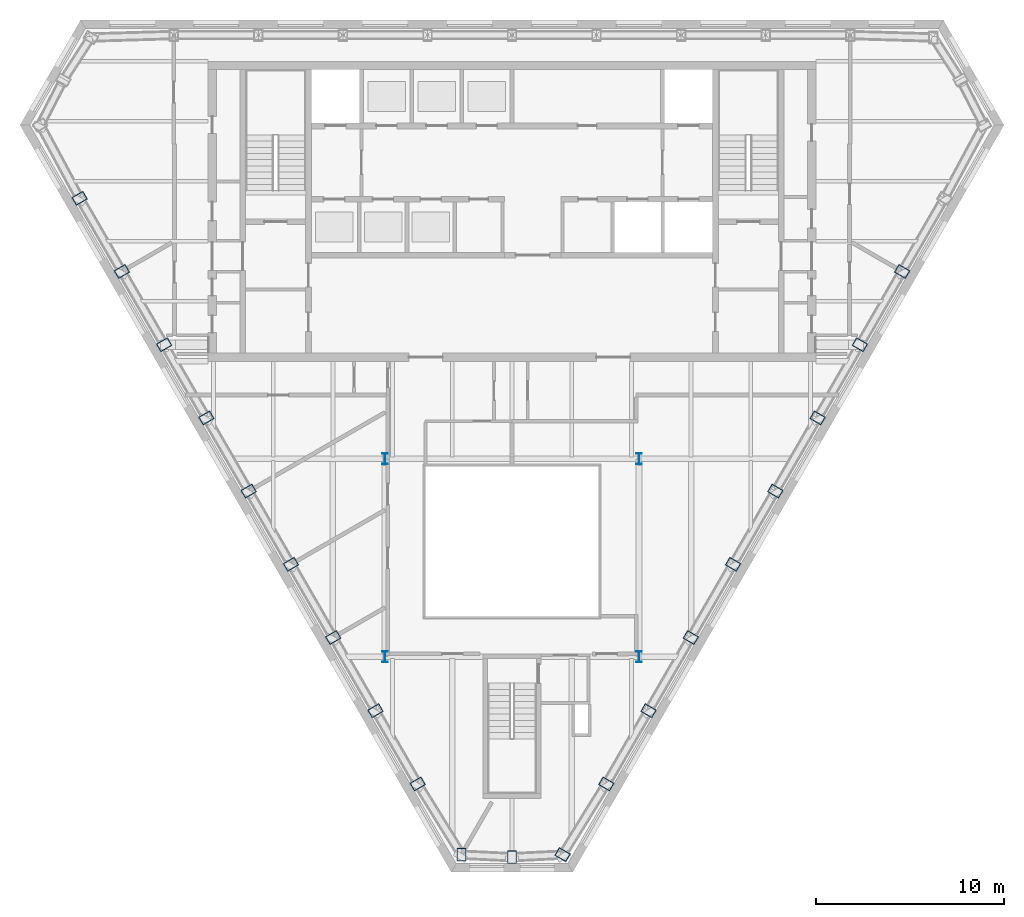
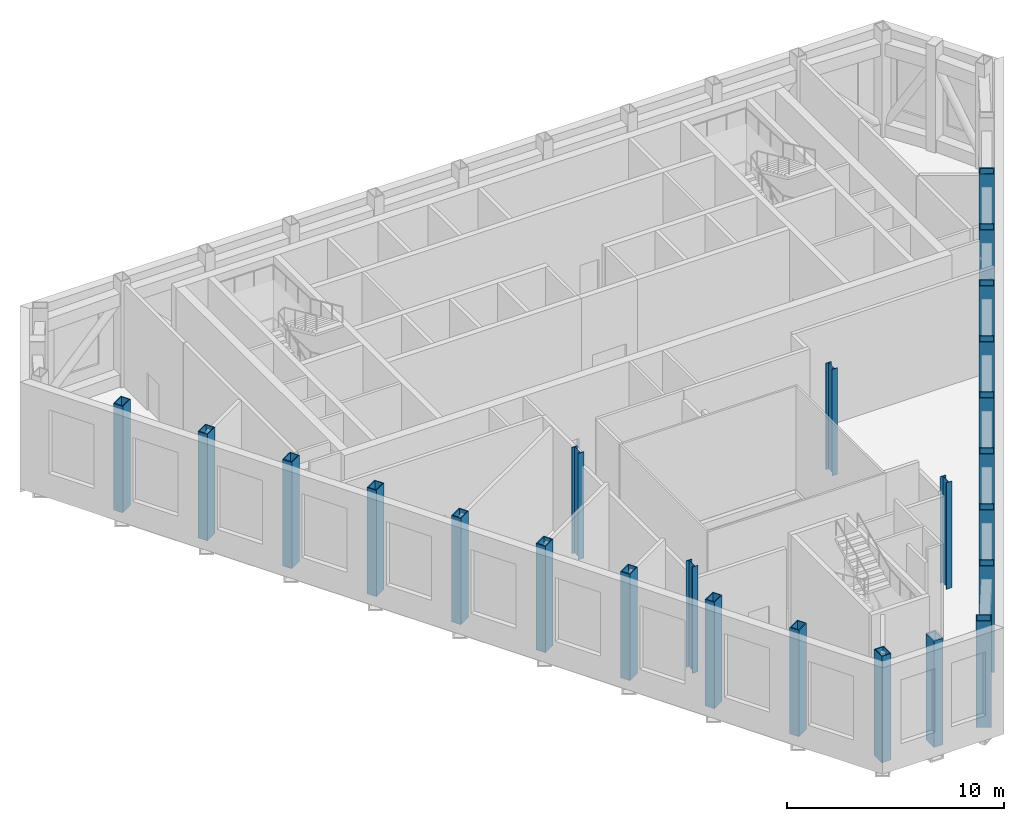
# One storey, part 1 of 14: 24 columns.
"""IFC4 building model written with IfcOpenShell, lengths in metres."""

from ifc_helpers import new_model, si_unit, direction, frame, origin, origin_2d, place, context, subcontext, project, spatial, hollow_rectangle, i_section, extrude, material, material_profile, profile_set, type_object, element, save


model = new_model("IFC4")

# Units and contexts
model_context = context("Model", 3, precision=1e-05, world=origin(), true_north=direction((0.0, 1.0)))
body_context = subcontext(model_context, "Body", "Model", "MODEL_VIEW")
ifc_project = project(units=[si_unit("LENGTHUNIT", "METRE"), si_unit("AREAUNIT", "SQUARE_METRE"), si_unit("VOLUMEUNIT", "CUBIC_METRE"), si_unit("PLANEANGLEUNIT", "RADIAN"), si_unit("MASSUNIT", "GRAM", prefix="KILO")], contexts=[model_context])

# Site, building, storey
site_placement = place(None, origin())
site = spatial("IfcSite", under=ifc_project, at=site_placement, CompositionType="ELEMENT")
building_placement = place(site_placement, origin())
building = spatial("IfcBuilding", under=site, at=building_placement, Name="Njiva Tower", CompositionType="ELEMENT")
storey_placement = place(building_placement, frame((0.0, 0.0, 239.4)))
storey = spatial("IfcBuildingStorey", under=building, at=storey_placement, Name="L54", CompositionType="ELEMENT", Elevation=239.4)

# Columns
ifc_material = material(Name="Steel S355 J2", Category="steel")
ifc_material_profile_1 = material_profile(ifc_material, hollow_rectangle(XDim=0.5, YDim=0.7, WallThickness=0.045, at=origin_2d()), Name="BOX 700x500x45")
ifc_profile_set_1 = profile_set([ifc_material_profile_1], Name="Steel S355 J2")
column_type_1 = type_object("IfcColumnType", Name="C13 Perimeter tube column BOX 700x500x45", PredefinedType="COLUMN", material=ifc_profile_set_1)
for number, where, z_axis, x_axis, name in (
    (1, (-23.057, 10.693, 0.0), (0.0, 0.0, 1.0), (0.5, -0.866025403784, 0.0), "Perimeter tube column T4-C14"),
    (2, (-20.804, 6.789, 0.0), (0.0, 0.0, 1.0), (0.5, -0.866025403784, 0.0), "Perimeter tube column T4-C15"),
    (3, (-18.55, 2.886, 0.0), (0.0, 0.0, 1.0), (0.5, -0.866025403784, 0.0), "Perimeter tube column T4-C16"),
    (4, (-16.296, -1.018, 0.0), (0.0, 0.0, 1.0), (0.5, -0.866025403784, 0.0), "Perimeter tube column T4-C17"),
    (5, (-14.042, -4.922, 0.0), (0.0, 0.0, 1.0), (0.5, -0.866025403784, 0.0), "Perimeter tube column T4-C18"),
    (6, (-11.788, -8.825, 0.0), (0.0, 0.0, 1.0), (0.5, -0.866025403784, 0.0), "Perimeter tube column T4-C19"),
    (7, (-9.535, -12.729, 0.0), (0.0, 0.0, 1.0), (0.5, -0.866025403784, 0.0), "Perimeter tube column T4-C20"),
    (8, (-7.281, -16.633, 0.0), (0.0, 0.0, 1.0), (0.5, -0.866025403784, 0.0), "Perimeter tube column T4-C21"),
    (9, (-5.027, -20.537, 0.0), (0.0, 0.0, 1.0), (0.5, -0.866025403784, 0.0), "Perimeter tube column T4-C22"),
    (10, (-2.696, -24.307, 0.0), (0.0, 0.0, 1.0), (1.0, 0.0, 0.0), "Perimeter tube column T4-C23"),
    (11, (0.0, -24.44, 0.0), (0.0, 0.0, 1.0), (1.0, 0.0, 0.0), "Perimeter tube column T4-C24"),
    (12, (2.696, -24.307, 0.0), (0.0, 0.0, 1.0), (0.5, 0.866025403784, 0.0), "Perimeter tube column T4-C25"),
    (13, (5.027, -20.537, 0.0), (0.0, 0.0, 1.0), (0.5, 0.866025403784, 0.0), "Perimeter tube column T4-C26"),
    (14, (7.281, -16.633, 0.0), (0.0, 0.0, 1.0), (0.5, 0.866025403784, 0.0), "Perimeter tube column T4-C27"),
    (15, (9.535, -12.729, 0.0), (0.0, 0.0, 1.0), (0.5, 0.866025403784, 0.0), "Perimeter tube column T4-C28"),
    (16, (11.788, -8.825, 0.0), (0.0, 0.0, 1.0), (0.5, 0.866025403784, 0.0), "Perimeter tube column T4-C29"),
    (17, (14.042, -4.922, 0.0), (0.0, 0.0, 1.0), (0.5, 0.866025403784, 0.0), "Perimeter tube column T4-C30"),
    (18, (16.296, -1.018, 0.0), (0.0, 0.0, 1.0), (0.5, 0.866025403784, 0.0), "Perimeter tube column T4-C31"),
    (19, (18.55, 2.886, 0.0), (0.0, 0.0, 1.0), (0.5, 0.866025403784, 0.0), "Perimeter tube column T4-C32"),
    (20, (20.804, 6.789, 0.0), (0.0, 0.0, 1.0), (0.5, 0.866025403784, 0.0), "Perimeter tube column T4-C33"),
):
    element("IfcColumn", number, at=place(storey_placement, frame(where, z_axis=z_axis, x_axis=x_axis)), inside=storey, type_object=column_type_1, Name=name, PredefinedType="COLUMN", context=body_context, shape_type="SweptSolid", body=[
        extrude(hollow_rectangle(XDim=0.5, YDim=0.7, WallThickness=0.045, at=origin_2d()), origin(), (0.0, 0.0, 1.0), 6.0),
    ])
ifc_material_profile_2 = material_profile(ifc_material, i_section(OverallWidth=0.3, OverallDepth=0.6, WebThickness=0.0155, FlangeThickness=0.03, at=origin_2d()), Name="HEB 600")
ifc_profile_set_2 = profile_set([ifc_material_profile_2], Name="Steel S355 J2")
column_type_2 = type_object("IfcColumnType", Name="C14 Interior column HEB 600", PredefinedType="COLUMN", material=ifc_profile_set_2)
for number, where, z_axis, x_axis, name in (
    (21, (6.77, -3.2, 0.0), (0.0, 0.0, 1.0), (1.0, 0.0, 0.0), "Interior column T4-C37"),
    (22, (-6.77, -3.2, 0.0), (0.0, 0.0, 1.0), (1.0, 0.0, 0.0), "Interior column T4-C38"),
    (23, (6.77, -13.75, 0.0), (0.0, 0.0, 1.0), (1.0, 0.0, 0.0), "Interior column T4-C39"),
    (24, (-6.77, -13.75, 0.0), (0.0, 0.0, 1.0), (1.0, 0.0, 0.0), "Interior column T4-C40"),
):
    element("IfcColumn", number, at=place(storey_placement, frame(where, z_axis=z_axis, x_axis=x_axis)), inside=storey, type_object=column_type_2, Name=name, PredefinedType="COLUMN", context=body_context, shape_type="SweptSolid", body=[
        extrude(i_section(OverallWidth=0.3, OverallDepth=0.6, WebThickness=0.0155, FlangeThickness=0.03, at=origin_2d()), origin(), (0.0, 0.0, 1.0), 6.0),
    ])

save(model, "model.ifc")
